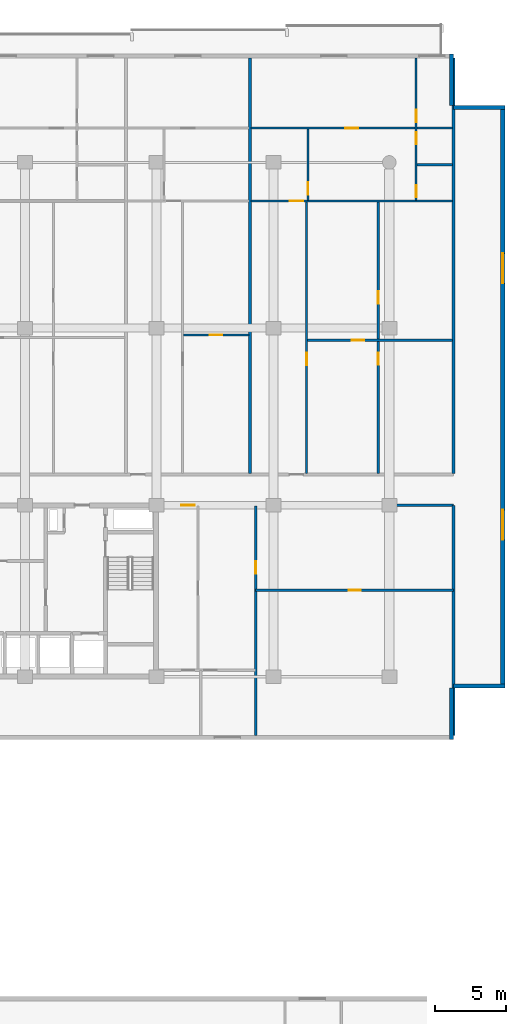
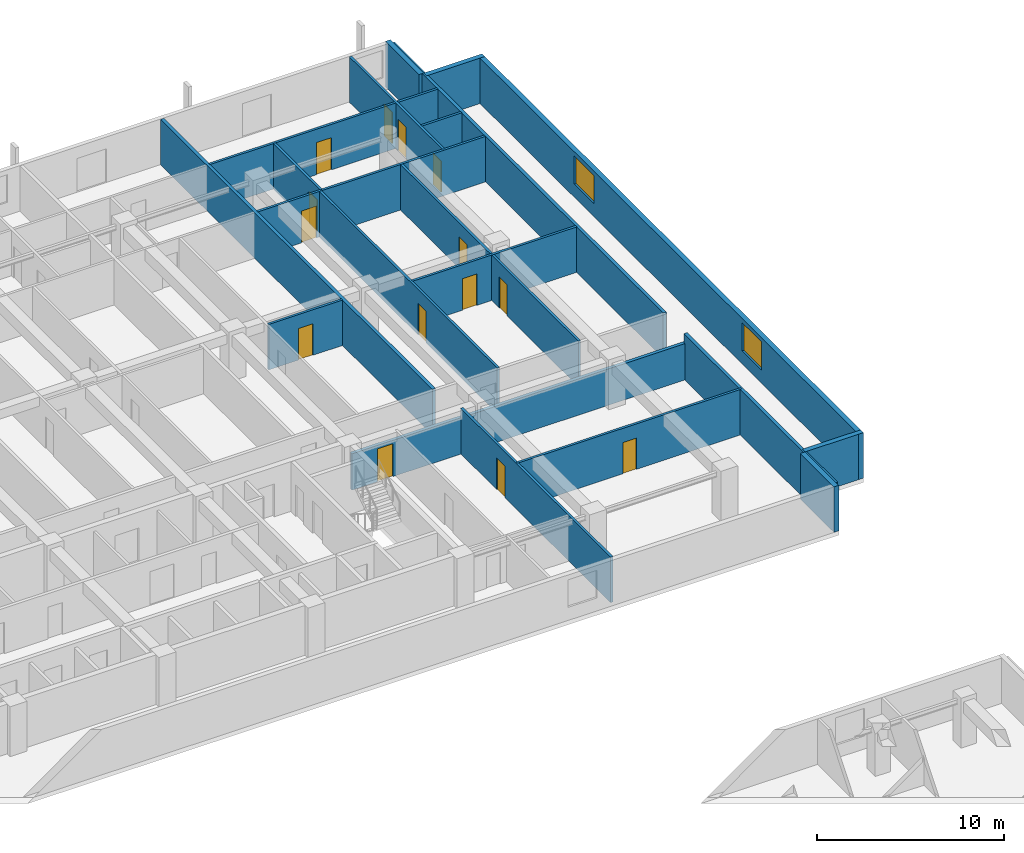
# One storey, part 18 of 24: 20 walls, 14 doors, 2 windows, 16 openings.
"""IFC4 building model written with IfcOpenShell, lengths in metres."""

from ifc_helpers import new_model, si_unit, direction, frame, frame_2d, origin, place, context, subcontext, project, spatial, rectangle, extrude, material, layer, layer_set, type_object, element, fill, save


model = new_model("IFC4")

# Units and contexts
model_context = context("Model", 3, precision=1e-05, world=origin(), true_north=direction((0.0, 1.0)))
body_context = subcontext(model_context, "Body", "Model", "MODEL_VIEW")
ifc_project = project(units=[si_unit("LENGTHUNIT", "METRE"), si_unit("AREAUNIT", "SQUARE_METRE"), si_unit("VOLUMEUNIT", "CUBIC_METRE"), si_unit("PLANEANGLEUNIT", "RADIAN"), si_unit("MASSUNIT", "GRAM", prefix="KILO")], contexts=[model_context])

# Site, building, storey
site_placement = place(None, origin())
site = spatial("IfcSite", under=ifc_project, at=site_placement, CompositionType="ELEMENT")
building_placement = place(site_placement, origin())
building = spatial("IfcBuilding", under=site, at=building_placement, Name="Korimba Cascade Residences", CompositionType="ELEMENT")
storey_placement = place(building_placement, frame((0.0, 0.0, 66.25)))
storey = spatial("IfcBuildingStorey", under=building, at=storey_placement, Name="L18", CompositionType="ELEMENT", Elevation=66.25)

# Walls
ifc_material_1 = material(Name="Precast concrete C40/50", Category="concrete")
ifc_layer_1 = layer(ifc_material_1, 0.300048828125)
ifc_layer_set_1 = layer_set([ifc_layer_1], Name="Precast concrete C40/50")
wall_type_1 = type_object("IfcWallType", Name="EW-STONE-300", PredefinedType="STANDARD", material=ifc_layer_set_1)
wall_1_placement = place(storey_placement, frame((132.75, 50.800048828125, 0.0), z_axis=(0.0, 0.0, 1.0), x_axis=(0.0, 1.0, 0.0)))
element("IfcWall", 1, at=wall_1_placement, inside=storey, type_object=wall_type_1, Name="L18 T1 Perimeter Stone Wall E01", PredefinedType="STANDARD", context=body_context, shape_type="SweptSolid", body=[
    extrude(rectangle(XDim=3.599853515625, YDim=0.300048828125, at=frame_2d((1.7998046875, 0.0))), origin(), (0.0, 0.0, 1.0), 2.969970703125),
])
wall_2_placement = place(storey_placement, frame((132.89990234375, 54.550048828125, 0.0), z_axis=(0.0, 0.0, 1.0), x_axis=(1.0, 0.0, 0.0)))
element("IfcWall", 2, at=wall_2_placement, inside=storey, type_object=wall_type_1, Name="L18 T1 Perimeter Stone Wall E02", PredefinedType="STANDARD", context=body_context, shape_type="SweptSolid", body=[
    extrude(rectangle(XDim=3.60009765625, YDim=0.300048828125, at=frame_2d((1.800048828125, 0.0))), origin(), (0.0, 0.0, 1.0), 2.969970703125),
])

# Wall, openings, windows
wall_3_placement = place(storey_placement, frame((136.35009765625, 54.39990234375, 0.0), z_axis=(0.0, 0.0, 1.0), x_axis=(0.0, 1.0, 0.0)))
wall_3 = element("IfcWall", 3, at=wall_3_placement, inside=storey, type_object=wall_type_1, Name="L18 T1 Perimeter Stone Wall E03", PredefinedType="STANDARD", context=body_context, shape_type="SweptSolid", body=[
    extrude(rectangle(XDim=40.800048828125, YDim=0.300048828125, at=frame_2d((20.39990234375, 0.0))), origin(), (0.0, 0.0, 1.0), 2.969970703125),
])
opening_1_placement = place(wall_3_placement, frame((10.3740234375, 0.0, 0.85009765625)))
opening_1 = element("IfcOpeningElement", 4, at=opening_1_placement, cuts=wall_3, Name="Opening W-03", PredefinedType="OPENING", context=body_context, shape_type="SweptSolid", body=[
    extrude(rectangle(XDim=2.10009765625, YDim=1.85009765625, at=frame_2d((1.050048828125, 0.925048828125))), frame((0.0, 0.16015625, 0.0), z_axis=(0.0, -1.0, 0.0), x_axis=(1.0, 0.0, 0.0)), (0.0, 0.0, 1.0), 0.320068359375),
])
opening_2_placement = place(wall_3_placement, frame((28.325927734375, 0.0, 0.85009765625)))
opening_2 = element("IfcOpeningElement", 5, at=opening_2_placement, cuts=wall_3, Name="Opening W-03", PredefinedType="OPENING", context=body_context, shape_type="SweptSolid", body=[
    extrude(rectangle(XDim=2.10009765625, YDim=1.85009765625, at=frame_2d((1.050048828125, 0.925048828125))), frame((0.0, 0.16015625, 0.0), z_axis=(0.0, -1.0, 0.0), x_axis=(1.0, 0.0, 0.0)), (0.0, 0.0, 1.0), 0.320068359375),
])
ifc_material_2 = material(Name="Double-Glazed Aluminium Window", Category="aluminium")
window_type = type_object("IfcWindowType", Name="WIN-CRN-2100", PartitioningType="DOUBLE_PANEL_HORIZONTAL", PredefinedType="WINDOW", material=ifc_material_2)
window_1_placement = place(opening_1_placement, origin())
window_1 = element("IfcWindow", 6, at=window_1_placement, inside=storey, type_object=window_type, Name="L18 T1 End View Window 3.1", OverallHeight=1.85009765625, OverallWidth=2.10009765625, PartitioningType="DOUBLE_PANEL_HORIZONTAL", PredefinedType="WINDOW", context=body_context, shape_type="SweptSolid", body=[
    extrude(rectangle(XDim=2.10009765625, YDim=1.85009765625, at=frame_2d((1.050048828125, 0.925048828125))), frame((0.0, 0.030029296875, 0.0), z_axis=(0.0, -1.0, 0.0), x_axis=(1.0, 0.0, 0.0)), (0.0, 0.0, 1.0), 0.06005859375),
])
fill(opening_1, window_1)
window_2_placement = place(opening_2_placement, origin())
window_2 = element("IfcWindow", 7, at=window_2_placement, inside=storey, type_object=window_type, Name="L18 T1 End View Window 3.2", OverallHeight=1.85009765625, OverallWidth=2.10009765625, PartitioningType="DOUBLE_PANEL_HORIZONTAL", PredefinedType="WINDOW", context=body_context, shape_type="SweptSolid", body=[
    extrude(rectangle(XDim=2.10009765625, YDim=1.85009765625, at=frame_2d((1.050048828125, 0.925048828125))), frame((0.0, 0.030029296875, 0.0), z_axis=(0.0, -1.0, 0.0), x_axis=(1.0, 0.0, 0.0)), (0.0, 0.0, 1.0), 0.06005859375),
])
fill(opening_2, window_2)

# Walls
for number, where, z_axis, x_axis, name in (
    (8, (136.5, 95.050048828125, 0.0), (0.0, 0.0, 1.0), (-1.0, 0.0, 0.0), "L18 T1 Perimeter Stone Wall E04"),
    (9, (132.75, 95.199951171875, 0.0), (0.0, 0.0, 1.0), (0.0, 1.0, 0.0), "L18 T1 Perimeter Stone Wall E05"),
):
    element("IfcWall", number, at=place(storey_placement, frame(where, z_axis=z_axis, x_axis=x_axis)), inside=storey, type_object=wall_type_1, Name=name, PredefinedType="STANDARD", context=body_context, shape_type="SweptSolid", body=[
        extrude(rectangle(XDim=3.60009765625, YDim=0.300048828125, at=frame_2d((1.800048828125, 0.0))), origin(), (0.0, 0.0, 1.0), 2.969970703125),
    ])
ifc_layer_2 = layer(ifc_material_1, 0.199951171875)
ifc_layer_set_2 = layer_set([ifc_layer_2], Name="Precast concrete C40/50")
wall_type_2 = type_object("IfcWallType", Name="WAL-IT-200", PredefinedType="PARTITIONING", material=ifc_layer_set_2)
wall_4_placement = place(storey_placement, frame((132.89990234375, 51.10009765625, 0.0), z_axis=(0.0, 0.0, 1.0), x_axis=(0.0, 1.0, 0.0)))
element("IfcWall", 10, at=wall_4_placement, inside=storey, type_object=wall_type_2, Name="L18 Partition Wall WAL-L18-T1-FE-WR", PredefinedType="PARTITIONING", context=body_context, shape_type="SweptSolid", body=[
    extrude(rectangle(XDim=16.099853515625, YDim=0.199951171875, at=frame_2d((8.0498046875, 0.0))), origin(), (0.0, 0.0, 1.0), 2.969970703125),
])

# Wall, opening, door
wall_5_placement = place(storey_placement, frame((112.25, 67.199951171875, 0.0), z_axis=(0.0, 0.0, 1.0), x_axis=(1.0, 0.0, 0.0)))
wall_5 = element("IfcWall", 11, at=wall_5_placement, inside=storey, type_object=wall_type_2, Name="L18 Partition Wall WAL-L18-T1-FE-N", PredefinedType="PARTITIONING", context=body_context, shape_type="SweptSolid", body=[
    extrude(rectangle(XDim=20.64990234375, YDim=0.199951171875, at=frame_2d((10.324951171875, 0.0))), origin(), (0.0, 0.0, 1.0), 2.3701171875),
])
opening_3_placement = place(wall_5_placement, frame((1.580078125, 0.0, 0.0)))
opening_3 = element("IfcOpeningElement", 12, at=opening_3_placement, cuts=wall_5, Name="Opening D-UN1", PredefinedType="OPENING", context=body_context, shape_type="SweptSolid", body=[
    extrude(rectangle(XDim=0.949951171875, YDim=2.14990234375, at=frame_2d((0.47509765625, 1.074951171875))), frame((0.0, 0.10986328125, 0.0), z_axis=(0.0, -1.0, 0.0), x_axis=(1.0, 0.0, 0.0)), (0.0, 0.0, 1.0), 0.219970703125),
])
ifc_material_3 = material(Name="Fire-Rated Hardwood Apartment Entrance Door", Category="wood")
door_type_1 = type_object("IfcDoorType", Name="DR-FD60-950", OperationType="NOTDEFINED", PredefinedType="DOOR", material=ifc_material_3)
door_1_placement = place(opening_3_placement, origin())
door_1 = element("IfcDoor", 13, at=door_1_placement, inside=storey, type_object=door_type_1, Name="L18-T1-FE Entrance Door", OperationType="SINGLE_SWING_LEFT", OverallHeight=2.14990234375, OverallWidth=0.949951171875, PredefinedType="DOOR", context=body_context, shape_type="SweptSolid", body=[
    extrude(rectangle(XDim=0.949951171875, YDim=2.14990234375, at=frame_2d((0.47509765625, 1.074951171875))), frame((0.0, 0.02490234375, 0.0), z_axis=(0.0, -1.0, 0.0), x_axis=(1.0, 0.0, 0.0)), (0.0, 0.0, 1.0), 0.050048828125),
])
fill(opening_3, door_1)

# Walls
for number, where, z_axis, x_axis, name in (
    (14, (132.89990234375, 69.429931640625, 0.0), (0.0, 0.0, 1.0), (0.0, 1.0, 0.0), "L18 Partition Wall WAL-L18-T1-BNDWR"),
    (15, (118.6455078125, 69.429931640625, 0.0), (0.0, 0.0, 1.0), (0.0, 1.0, 0.0), "L18 Partition Wall WAL-L18-T1-DEM-5"),
):
    element("IfcWall", number, at=place(storey_placement, frame(where, z_axis=z_axis, x_axis=x_axis)), inside=storey, type_object=wall_type_2, Name=name, PredefinedType="PARTITIONING", context=body_context, shape_type="SweptSolid", body=[
        extrude(rectangle(XDim=29.070068359375, YDim=0.199951171875, at=frame_2d((14.53515625, 0.0))), origin(), (0.0, 0.0, 1.0), 2.969970703125),
    ])

# Wall, opening, door
ifc_material_4 = material(Name="Insulated Acoustic Stud Partition", Category="gypsum")
ifc_layer_3 = layer(ifc_material_4, 0.14990234375)
ifc_layer_set_3 = layer_set([ifc_layer_3], Name="Insulated Acoustic Stud Partition")
wall_type_3 = type_object("IfcWallType", Name="WAL-PART-150", PredefinedType="PARTITIONING", material=ifc_layer_set_3)
wall_6_placement = place(storey_placement, frame((119.050048828125, 61.25, 0.0), z_axis=(0.0, 0.0, 1.0), x_axis=(1.0, 0.0, 0.0)))
wall_6 = element("IfcWall", 16, at=wall_6_placement, inside=storey, type_object=wall_type_3, Name="L18 Partition Wall WAL-L18-T1-FE-STH", PredefinedType="PARTITIONING", context=body_context, shape_type="SweptSolid", body=[
    extrude(rectangle(XDim=13.849853515625, YDim=0.14990234375, at=frame_2d((6.9248046875, 0.0))), origin(), (0.0, 0.0, 1.0), 2.969970703125),
])
opening_4_placement = place(wall_6_placement, frame((6.5048828125, 0.0, 0.0)))
opening_4 = element("IfcOpeningElement", 17, at=opening_4_placement, cuts=wall_6, Name="Opening D-BT1", PredefinedType="OPENING", context=body_context, shape_type="SweptSolid", body=[
    extrude(rectangle(XDim=0.840087890625, YDim=2.0400390625, at=frame_2d((0.419921875, 1.02001953125))), frame((0.0, 0.0849609375, 0.0), z_axis=(0.0, -1.0, 0.0), x_axis=(1.0, 0.0, 0.0)), (0.0, 0.0, 1.0), 0.169921875),
])
ifc_material_5 = material(Name="Moisture-Resistant Bathroom Timber Door", Category="wood")
door_type_2 = type_object("IfcDoorType", Name="DR-INT-850", OperationType="NOTDEFINED", PredefinedType="DOOR", material=ifc_material_5)
door_2_placement = place(opening_4_placement, origin())
door_2 = element("IfcDoor", 18, at=door_2_placement, inside=storey, type_object=door_type_2, Name="L18-T1-FE Dressing Store Door", OperationType="SINGLE_SWING_RIGHT", OverallHeight=2.0400390625, OverallWidth=0.840087890625, PredefinedType="DOOR", context=body_context, shape_type="SweptSolid", body=[
    extrude(rectangle(XDim=0.840087890625, YDim=2.0400390625, at=frame_2d((0.419921875, 1.02001953125))), frame((0.0, 0.02490234375, 0.0), z_axis=(0.0, -1.0, 0.0), x_axis=(1.0, 0.0, 0.0)), (0.0, 0.0, 1.0), 0.050048828125),
])
fill(opening_4, door_2)

wall_7_placement = place(storey_placement, frame((119.050048828125, 51.10009765625, 0.0), z_axis=(0.0, 0.0, 1.0), x_axis=(0.0, 1.0, 0.0)))
wall_7 = element("IfcWall", 19, at=wall_7_placement, inside=storey, type_object=wall_type_3, Name="L18 Partition Wall WAL-L18-T1-FE-STV", PredefinedType="PARTITIONING", context=body_context, shape_type="SweptSolid", body=[
    extrude(rectangle(XDim=16.0498046875, YDim=0.14990234375, at=frame_2d((8.02490234375, 0.0))), origin(), (0.0, 0.0, 1.0), 2.969970703125),
])
opening_5_placement = place(wall_7_placement, frame((11.300048828125, 0.0, 0.0)))
opening_5 = element("IfcOpeningElement", 20, at=opening_5_placement, cuts=wall_7, Name="Opening D-IN2", PredefinedType="OPENING", context=body_context, shape_type="SweptSolid", body=[
    extrude(rectangle(XDim=0.8798828125, YDim=2.06005859375, at=frame_2d((0.43994140625, 1.030029296875))), frame((0.0, 0.0849609375, 0.0), z_axis=(0.0, -1.0, 0.0), x_axis=(1.0, 0.0, 0.0)), (0.0, 0.0, 1.0), 0.169921875),
])
ifc_material_6 = material(Name="Acoustic Timber Bedroom Door", Category="wood")
door_type_3 = type_object("IfcDoorType", Name="DR-INT-880", OperationType="NOTDEFINED", PredefinedType="DOOR", material=ifc_material_6)
door_3_placement = place(opening_5_placement, origin())
door_3 = element("IfcDoor", 21, at=door_3_placement, inside=storey, type_object=door_type_3, Name="L18-T1-FE Study Door", OperationType="SINGLE_SWING_LEFT", OverallHeight=2.06005859375, OverallWidth=0.8798828125, PredefinedType="DOOR", context=body_context, shape_type="SweptSolid", body=[
    extrude(rectangle(XDim=0.8798828125, YDim=2.06005859375, at=frame_2d((0.43994140625, 1.030029296875))), frame((0.0, 0.02490234375, 0.0), z_axis=(0.0, -1.0, 0.0), x_axis=(1.0, 0.0, 0.0)), (0.0, 0.0, 1.0), 0.050048828125),
])
fill(opening_5, door_3)

wall_8_placement = place(storey_placement, frame((113.995361328125, 79.114990234375, 0.0), z_axis=(0.0, 0.0, 1.0), x_axis=(1.0, 0.0, 0.0)))
wall_8 = element("IfcWall", 22, at=wall_8_placement, inside=storey, type_object=wall_type_3, Name="L18 Partition Wall WAL-L18-T1-U05-FMH", PredefinedType="PARTITIONING", context=body_context, shape_type="SweptSolid", body=[
    extrude(rectangle(XDim=4.5703125, YDim=0.14990234375, at=frame_2d((2.28515625, 0.0))), origin(), (0.0, 0.0, 1.0), 2.969970703125),
])
opening_6_placement = place(wall_8_placement, frame((1.84521484375, 0.0, 0.0)))
opening_6 = element("IfcOpeningElement", 23, at=opening_6_placement, cuts=wall_8, Name="Opening D-IN2", PredefinedType="OPENING", context=body_context, shape_type="SweptSolid", body=[
    extrude(rectangle(XDim=0.8798828125, YDim=2.06005859375, at=frame_2d((0.43994140625, 1.030029296875))), frame((0.0, 0.0849609375, 0.0), z_axis=(0.0, -1.0, 0.0), x_axis=(1.0, 0.0, 0.0)), (0.0, 0.0, 1.0), 0.169921875),
])
door_4_placement = place(opening_6_placement, origin())
door_4 = element("IfcDoor", 24, at=door_4_placement, inside=storey, type_object=door_type_3, Name="L18-T1-U05 Library Salon Door", OperationType="SINGLE_SWING_LEFT", OverallHeight=2.06005859375, OverallWidth=0.8798828125, PredefinedType="DOOR", context=body_context, shape_type="SweptSolid", body=[
    extrude(rectangle(XDim=0.8798828125, YDim=2.06005859375, at=frame_2d((0.43994140625, 1.030029296875))), frame((0.0, 0.02490234375, 0.0), z_axis=(0.0, -1.0, 0.0), x_axis=(1.0, 0.0, 0.0)), (0.0, 0.0, 1.0), 0.050048828125),
])
fill(opening_6, door_4)

# Wall, openings, doors
wall_9_placement = place(storey_placement, frame((127.627685546875, 69.409912109375, 0.0), z_axis=(0.0, 0.0, 1.0), x_axis=(0.0, 1.0, 0.0)))
wall_9 = element("IfcWall", 25, at=wall_9_placement, inside=storey, type_object=wall_type_3, Name="L18 Partition Wall WAL-L18-T1-U06-FMV", PredefinedType="PARTITIONING", context=body_context, shape_type="SweptSolid", body=[
    extrude(rectangle(XDim=19.050048828125, YDim=0.14990234375, at=frame_2d((9.52490234375, 0.0))), origin(), (0.0, 0.0, 1.0), 2.969970703125),
])
opening_7_placement = place(wall_9_placement, frame((7.62255859375, 0.0, 0.0)))
opening_7 = element("IfcOpeningElement", 26, at=opening_7_placement, cuts=wall_9, Name="Opening D-BT1", PredefinedType="OPENING", context=body_context, shape_type="SweptSolid", body=[
    extrude(rectangle(XDim=0.840087890625, YDim=2.0400390625, at=frame_2d((0.419921875, 1.02001953125))), frame((0.0, 0.0849609375, 0.0), z_axis=(0.0, -1.0, 0.0), x_axis=(1.0, 0.0, 0.0)), (0.0, 0.0, 1.0), 0.169921875),
])
opening_8_placement = place(wall_9_placement, frame((11.89794921875, 0.0, 0.0)))
opening_8 = element("IfcOpeningElement", 27, at=opening_8_placement, cuts=wall_9, Name="Opening D-IN2", PredefinedType="OPENING", context=body_context, shape_type="SweptSolid", body=[
    extrude(rectangle(XDim=0.8798828125, YDim=2.06005859375, at=frame_2d((0.43994140625, 1.030029296875))), frame((0.0, 0.0849609375, 0.0), z_axis=(0.0, -1.0, 0.0), x_axis=(1.0, 0.0, 0.0)), (0.0, 0.0, 1.0), 0.169921875),
])
door_5_placement = place(opening_7_placement, origin())
door_5 = element("IfcDoor", 28, at=door_5_placement, inside=storey, type_object=door_type_2, Name="L18-T1-U06 Wardrobe Door", OperationType="SINGLE_SWING_RIGHT", OverallHeight=2.0400390625, OverallWidth=0.840087890625, PredefinedType="DOOR", context=body_context, shape_type="SweptSolid", body=[
    extrude(rectangle(XDim=0.840087890625, YDim=2.0400390625, at=frame_2d((0.419921875, 1.02001953125))), frame((0.0, 0.02490234375, 0.0), z_axis=(0.0, -1.0, 0.0), x_axis=(1.0, 0.0, 0.0)), (0.0, 0.0, 1.0), 0.050048828125),
])
fill(opening_7, door_5)
door_6_placement = place(opening_8_placement, origin())
door_6 = element("IfcDoor", 29, at=door_6_placement, inside=storey, type_object=door_type_3, Name="L18-T1-U06 Music Lounge Door", OperationType="SINGLE_SWING_LEFT", OverallHeight=2.06005859375, OverallWidth=0.8798828125, PredefinedType="DOOR", context=body_context, shape_type="SweptSolid", body=[
    extrude(rectangle(XDim=0.8798828125, YDim=2.06005859375, at=frame_2d((0.43994140625, 1.030029296875))), frame((0.0, 0.02490234375, 0.0), z_axis=(0.0, -1.0, 0.0), x_axis=(1.0, 0.0, 0.0)), (0.0, 0.0, 1.0), 0.050048828125),
])
fill(opening_8, door_6)

# Wall, opening, door
wall_10_placement = place(storey_placement, frame((122.675537109375, 78.7548828125, 0.0), z_axis=(0.0, 0.0, 1.0), x_axis=(1.0, 0.0, 0.0)))
wall_10 = element("IfcWall", 30, at=wall_10_placement, inside=storey, type_object=wall_type_3, Name="L18 Partition Wall WAL-L18-T1-U06-FMH", PredefinedType="PARTITIONING", context=body_context, shape_type="SweptSolid", body=[
    extrude(rectangle(XDim=10.14453125, YDim=0.14990234375, at=frame_2d((5.072265625, 0.0))), origin(), (0.0, 0.0, 1.0), 2.969970703125),
])
opening_9_placement = place(wall_10_placement, frame((3.081787109375, 0.0, 0.0)))
opening_9 = element("IfcOpeningElement", 31, at=opening_9_placement, cuts=wall_10, Name="Opening D-IN2", PredefinedType="OPENING", context=body_context, shape_type="SweptSolid", body=[
    extrude(rectangle(XDim=0.8798828125, YDim=2.06005859375, at=frame_2d((0.43994140625, 1.030029296875))), frame((0.0, 0.0849609375, 0.0), z_axis=(0.0, -1.0, 0.0), x_axis=(1.0, 0.0, 0.0)), (0.0, 0.0, 1.0), 0.169921875),
])
door_7_placement = place(opening_9_placement, origin())
door_7 = element("IfcDoor", 32, at=door_7_placement, inside=storey, type_object=door_type_3, Name="L18-T1-U06 Library Salon Door", OperationType="SINGLE_SWING_RIGHT", OverallHeight=2.06005859375, OverallWidth=0.8798828125, PredefinedType="DOOR", context=body_context, shape_type="SweptSolid", body=[
    extrude(rectangle(XDim=0.8798828125, YDim=2.06005859375, at=frame_2d((0.43994140625, 1.030029296875))), frame((0.0, 0.02490234375, 0.0), z_axis=(0.0, -1.0, 0.0), x_axis=(1.0, 0.0, 0.0)), (0.0, 0.0, 1.0), 0.050048828125),
])
fill(opening_9, door_7)

wall_11_placement = place(storey_placement, frame((122.615478515625, 69.409912109375, 0.0), z_axis=(0.0, 0.0, 1.0), x_axis=(0.0, 1.0, 0.0)))
wall_11 = element("IfcWall", 33, at=wall_11_placement, inside=storey, type_object=wall_type_3, Name="L18 Partition Wall WAL-L18-T1-U06-FV", PredefinedType="PARTITIONING", context=body_context, shape_type="SweptSolid", body=[
    extrude(rectangle(XDim=19.050048828125, YDim=0.14990234375, at=frame_2d((9.52490234375, 0.0))), origin(), (0.0, 0.0, 1.0), 2.969970703125),
])
opening_10_placement = place(wall_11_placement, frame((7.585693359375, 0.0, 0.0)))
opening_10 = element("IfcOpeningElement", 34, at=opening_10_placement, cuts=wall_11, Name="Opening D-IN2", PredefinedType="OPENING", context=body_context, shape_type="SweptSolid", body=[
    extrude(rectangle(XDim=0.8798828125, YDim=2.06005859375, at=frame_2d((0.43994140625, 1.030029296875))), frame((0.0, 0.0849609375, 0.0), z_axis=(0.0, -1.0, 0.0), x_axis=(1.0, 0.0, 0.0)), (0.0, 0.0, 1.0), 0.169921875),
])
door_8_placement = place(opening_10_placement, origin())
door_8 = element("IfcDoor", 35, at=door_8_placement, inside=storey, type_object=door_type_3, Name="L18-T1-U06 Media Lounge Door", OperationType="SINGLE_SWING_LEFT", OverallHeight=2.06005859375, OverallWidth=0.8798828125, PredefinedType="DOOR", context=body_context, shape_type="SweptSolid", body=[
    extrude(rectangle(XDim=0.8798828125, YDim=2.06005859375, at=frame_2d((0.43994140625, 1.030029296875))), frame((0.0, 0.02490234375, 0.0), z_axis=(0.0, -1.0, 0.0), x_axis=(1.0, 0.0, 0.0)), (0.0, 0.0, 1.0), 0.050048828125),
])
fill(opening_10, door_8)

wall_12_placement = place(storey_placement, frame((122.715576171875, 88.5400390625, 0.0), z_axis=(0.0, 0.0, 1.0), x_axis=(0.0, 1.0, 0.0)))
wall_12 = element("IfcWall", 36, at=wall_12_placement, inside=storey, type_object=wall_type_3, Name="L18 Partition Wall WAL-L18-T1-U06-VDIN", PredefinedType="PARTITIONING", context=body_context, shape_type="SweptSolid", body=[
    extrude(rectangle(XDim=5.0, YDim=0.14990234375, at=frame_2d((2.5, 0.0))), origin(), (0.0, 0.0, 1.0), 2.969970703125),
])
opening_11_placement = place(wall_12_placement, frame((0.39990234375, 0.0, 0.0)))
opening_11 = element("IfcOpeningElement", 37, at=opening_11_placement, cuts=wall_12, Name="Opening D-IN2", PredefinedType="OPENING", context=body_context, shape_type="SweptSolid", body=[
    extrude(rectangle(XDim=0.8798828125, YDim=2.06005859375, at=frame_2d((0.43994140625, 1.030029296875))), frame((0.0, 0.0849609375, 0.0), z_axis=(0.0, -1.0, 0.0), x_axis=(1.0, 0.0, 0.0)), (0.0, 0.0, 1.0), 0.169921875),
])
door_9_placement = place(opening_11_placement, origin())
door_9 = element("IfcDoor", 38, at=door_9_placement, inside=storey, type_object=door_type_3, Name="L18-T1-U06 Dining Room Door", OperationType="SINGLE_SWING_RIGHT", OverallHeight=2.06005859375, OverallWidth=0.8798828125, PredefinedType="DOOR", context=body_context, shape_type="SweptSolid", body=[
    extrude(rectangle(XDim=0.8798828125, YDim=2.06005859375, at=frame_2d((0.43994140625, 1.030029296875))), frame((0.0, 0.02490234375, 0.0), z_axis=(0.0, -1.0, 0.0), x_axis=(1.0, 0.0, 0.0)), (0.0, 0.0, 1.0), 0.050048828125),
])
fill(opening_11, door_9)

# Wall
wall_13_placement = place(storey_placement, frame((130.340087890625, 91.0400390625, 0.0), z_axis=(0.0, 0.0, 1.0), x_axis=(1.0, 0.0, 0.0)))
element("IfcWall", 39, at=wall_13_placement, inside=storey, type_object=wall_type_3, Name="L18 Partition Wall WAL-L18-T1-U06-BLDIV", PredefinedType="PARTITIONING", context=body_context, shape_type="SweptSolid", body=[
    extrude(rectangle(XDim=2.47998046875, YDim=0.14990234375, at=frame_2d((1.239990234375, 0.0))), origin(), (0.0, 0.0, 1.0), 2.969970703125),
])

# Wall, openings, doors
wall_14_placement = place(storey_placement, frame((130.280029296875, 88.5400390625, 0.0), z_axis=(0.0, 0.0, 1.0), x_axis=(0.0, 1.0, 0.0)))
wall_14 = element("IfcWall", 40, at=wall_14_placement, inside=storey, type_object=wall_type_3, Name="L18 Partition Wall WAL-L18-T1-U06-V1", PredefinedType="PARTITIONING", context=body_context, shape_type="SweptSolid", body=[
    extrude(rectangle(XDim=9.9599609375, YDim=0.14990234375, at=frame_2d((4.97998046875, 0.0))), origin(), (0.0, 0.0, 1.0), 2.969970703125),
])
opening_12_placement = place(wall_14_placement, frame((0.239990234375, 0.0, 0.0)))
opening_12 = element("IfcOpeningElement", 41, at=opening_12_placement, cuts=wall_14, Name="Opening D-BT1", PredefinedType="OPENING", context=body_context, shape_type="SweptSolid", body=[
    extrude(rectangle(XDim=0.840087890625, YDim=2.0400390625, at=frame_2d((0.419921875, 1.02001953125))), frame((0.0, 0.0849609375, 0.0), z_axis=(0.0, -1.0, 0.0), x_axis=(1.0, 0.0, 0.0)), (0.0, 0.0, 1.0), 0.169921875),
])
opening_13_placement = place(wall_14_placement, frame((3.919921875, 0.0, 0.0)))
opening_13 = element("IfcOpeningElement", 42, at=opening_13_placement, cuts=wall_14, Name="Opening D-BT1", PredefinedType="OPENING", context=body_context, shape_type="SweptSolid", body=[
    extrude(rectangle(XDim=0.840087890625, YDim=2.0400390625, at=frame_2d((0.419921875, 1.02001953125))), frame((0.0, 0.0849609375, 0.0), z_axis=(0.0, -1.0, 0.0), x_axis=(1.0, 0.0, 0.0)), (0.0, 0.0, 1.0), 0.169921875),
])
opening_14_placement = place(wall_14_placement, frame((5.47998046875, 0.0, 0.0)))
opening_14 = element("IfcOpeningElement", 43, at=opening_14_placement, cuts=wall_14, Name="Opening D-IN2", PredefinedType="OPENING", context=body_context, shape_type="SweptSolid", body=[
    extrude(rectangle(XDim=0.8798828125, YDim=2.06005859375, at=frame_2d((0.43994140625, 1.030029296875))), frame((0.0, 0.0849609375, 0.0), z_axis=(0.0, -1.0, 0.0), x_axis=(1.0, 0.0, 0.0)), (0.0, 0.0, 1.0), 0.169921875),
])
door_10_placement = place(opening_12_placement, origin())
door_10 = element("IfcDoor", 44, at=door_10_placement, inside=storey, type_object=door_type_2, Name="L18-T1-U06 Bathroom Door", OperationType="SINGLE_SWING_LEFT", OverallHeight=2.0400390625, OverallWidth=0.840087890625, PredefinedType="DOOR", context=body_context, shape_type="SweptSolid", body=[
    extrude(rectangle(XDim=0.840087890625, YDim=2.0400390625, at=frame_2d((0.419921875, 1.02001953125))), frame((0.0, 0.02490234375, 0.0), z_axis=(0.0, -1.0, 0.0), x_axis=(1.0, 0.0, 0.0)), (0.0, 0.0, 1.0), 0.050048828125),
])
fill(opening_12, door_10)
door_11_placement = place(opening_13_placement, origin())
door_11 = element("IfcDoor", 45, at=door_11_placement, inside=storey, type_object=door_type_2, Name="L18-T1-U06 Laundry Door", OperationType="SINGLE_SWING_RIGHT", OverallHeight=2.0400390625, OverallWidth=0.840087890625, PredefinedType="DOOR", context=body_context, shape_type="SweptSolid", body=[
    extrude(rectangle(XDim=0.840087890625, YDim=2.0400390625, at=frame_2d((0.419921875, 1.02001953125))), frame((0.0, 0.02490234375, 0.0), z_axis=(0.0, -1.0, 0.0), x_axis=(1.0, 0.0, 0.0)), (0.0, 0.0, 1.0), 0.050048828125),
])
fill(opening_13, door_11)
door_12_placement = place(opening_14_placement, origin())
door_12 = element("IfcDoor", 46, at=door_12_placement, inside=storey, type_object=door_type_3, Name="L18-T1-U06 Bedroom 1 Door", OperationType="SINGLE_SWING_LEFT", OverallHeight=2.06005859375, OverallWidth=0.8798828125, PredefinedType="DOOR", context=body_context, shape_type="SweptSolid", body=[
    extrude(rectangle(XDim=0.8798828125, YDim=2.06005859375, at=frame_2d((0.43994140625, 1.030029296875))), frame((0.0, 0.02490234375, 0.0), z_axis=(0.0, -1.0, 0.0), x_axis=(1.0, 0.0, 0.0)), (0.0, 0.0, 1.0), 0.050048828125),
])
fill(opening_14, door_12)

# Wall, opening, door
wall_15_placement = place(storey_placement, frame((118.7255859375, 88.5, 0.0), z_axis=(0.0, 0.0, 1.0), x_axis=(1.0, 0.0, 0.0)))
wall_15 = element("IfcWall", 47, at=wall_15_placement, inside=storey, type_object=wall_type_3, Name="L18 Partition Wall WAL-L18-T1-U06-MW", PredefinedType="PARTITIONING", context=body_context, shape_type="SweptSolid", body=[
    extrude(rectangle(XDim=14.094482421875, YDim=0.14990234375, at=frame_2d((7.04736328125, 0.0))), origin(), (0.0, 0.0, 1.0), 2.969970703125),
])
opening_15_placement = place(wall_15_placement, frame((2.719970703125, 0.0, 0.0)))
opening_15 = element("IfcOpeningElement", 48, at=opening_15_placement, cuts=wall_15, Name="Opening D-IN1", PredefinedType="OPENING", context=body_context, shape_type="SweptSolid", body=[
    extrude(rectangle(XDim=0.919921875, YDim=2.080078125, at=frame_2d((0.4599609375, 1.0400390625))), frame((0.0, 0.0849609375, 0.0), z_axis=(0.0, -1.0, 0.0), x_axis=(1.0, 0.0, 0.0)), (0.0, 0.0, 1.0), 0.169921875),
])
ifc_material_7 = material(Name="Acoustic Timber Living Door", Category="wood")
door_type_4 = type_object("IfcDoorType", Name="DR-INT-920", OperationType="NOTDEFINED", PredefinedType="DOOR", material=ifc_material_7)
door_13_placement = place(opening_15_placement, origin())
door_13 = element("IfcDoor", 49, at=door_13_placement, inside=storey, type_object=door_type_4, Name="L18-T1-U06 Kitchen Archway Door", OperationType="SINGLE_SWING_RIGHT", OverallHeight=2.080078125, OverallWidth=0.919921875, PredefinedType="DOOR", context=body_context, shape_type="SweptSolid", body=[
    extrude(rectangle(XDim=0.919921875, YDim=2.080078125, at=frame_2d((0.4599609375, 1.0400390625))), frame((0.0, 0.02490234375, 0.0), z_axis=(0.0, -1.0, 0.0), x_axis=(1.0, 0.0, 0.0)), (0.0, 0.0, 1.0), 0.050048828125),
])
fill(opening_15, door_13)

wall_16_placement = place(storey_placement, frame((118.7255859375, 93.60009765625, 0.0), z_axis=(0.0, 0.0, 1.0), x_axis=(1.0, 0.0, 0.0)))
wall_16 = element("IfcWall", 50, at=wall_16_placement, inside=storey, type_object=wall_type_3, Name="L18 Partition Wall WAL-L18-T1-U06-HZ", PredefinedType="PARTITIONING", context=body_context, shape_type="SweptSolid", body=[
    extrude(rectangle(XDim=14.094482421875, YDim=0.14990234375, at=frame_2d((7.04736328125, 0.0))), origin(), (0.0, 0.0, 1.0), 2.969970703125),
])
opening_16_placement = place(wall_16_placement, frame((6.5771484375, 0.0, 0.0)))
opening_16 = element("IfcOpeningElement", 51, at=opening_16_placement, cuts=wall_16, Name="Opening D-IN0", PredefinedType="OPENING", context=body_context, shape_type="SweptSolid", body=[
    extrude(rectangle(XDim=0.93994140625, YDim=2.10009765625, at=frame_2d((0.469970703125, 1.050048828125))), frame((0.0, 0.0849609375, 0.0), z_axis=(0.0, -1.0, 0.0), x_axis=(1.0, 0.0, 0.0)), (0.0, 0.0, 1.0), 0.169921875),
])
ifc_material_8 = material(Name="Acoustic Timber Living Archway Door", Category="wood")
door_type_5 = type_object("IfcDoorType", Name="DR-INT-950", OperationType="NOTDEFINED", PredefinedType="DOOR", material=ifc_material_8)
door_14_placement = place(opening_16_placement, origin())
door_14 = element("IfcDoor", 52, at=door_14_placement, inside=storey, type_object=door_type_5, Name="L18-T1-U06 Living Archway Door", OperationType="SINGLE_SWING_LEFT", OverallHeight=2.10009765625, OverallWidth=0.93994140625, PredefinedType="DOOR", context=body_context, shape_type="SweptSolid", body=[
    extrude(rectangle(XDim=0.93994140625, YDim=2.10009765625, at=frame_2d((0.469970703125, 1.050048828125))), frame((0.0, 0.02490234375, 0.0), z_axis=(0.0, -1.0, 0.0), x_axis=(1.0, 0.0, 0.0)), (0.0, 0.0, 1.0), 0.050048828125),
])
fill(opening_16, door_14)

save(model, "model.ifc")
